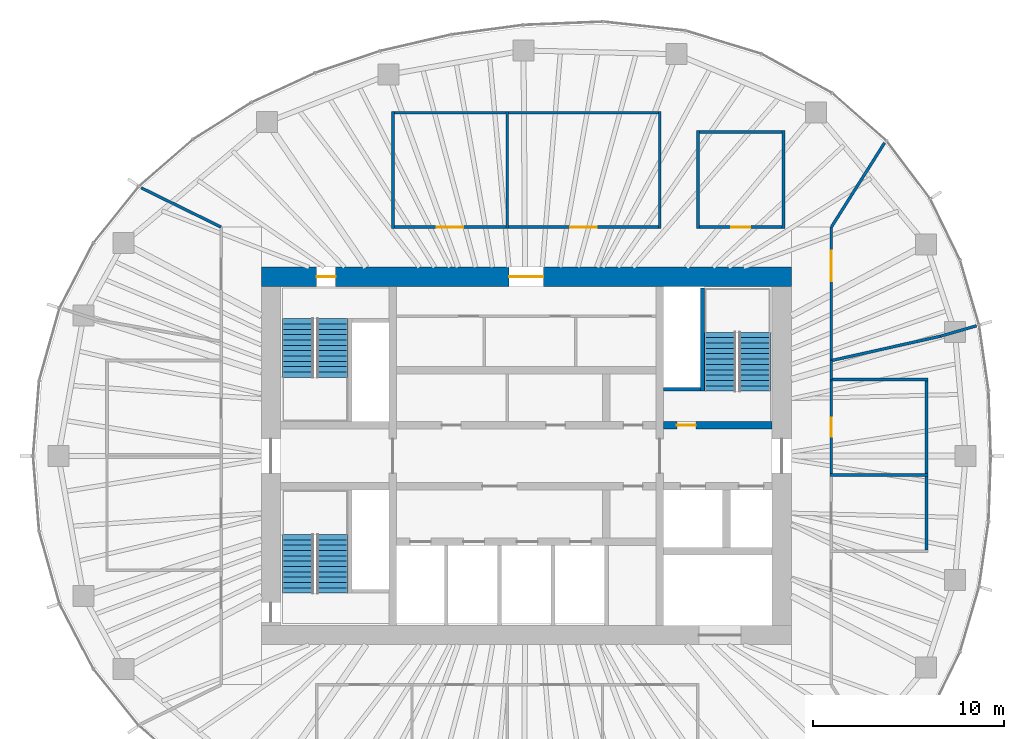
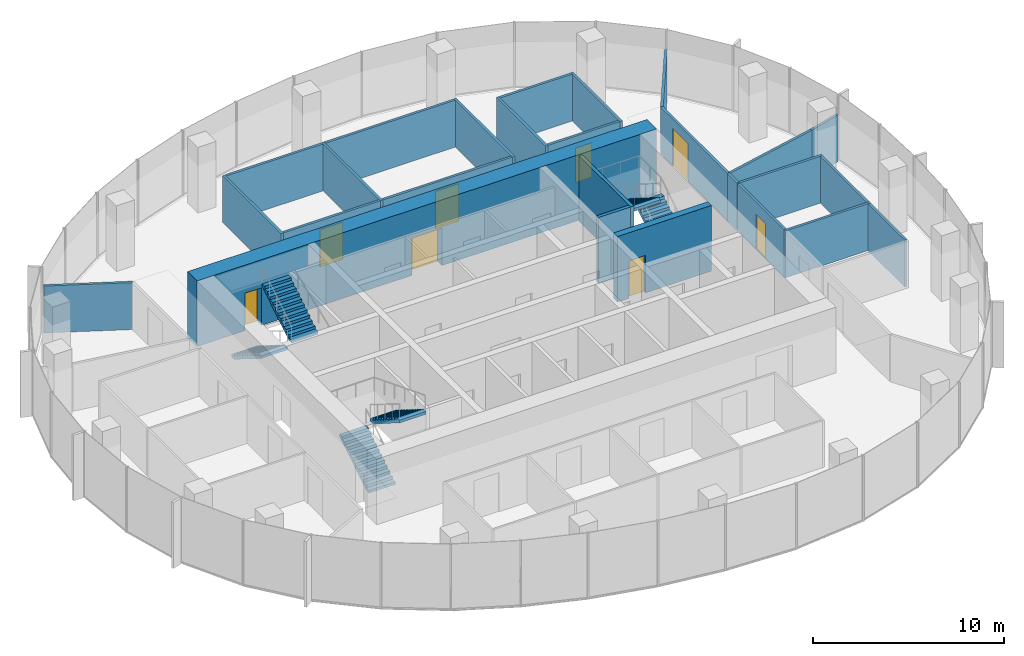
# One storey, part 10 of 11: 26 walls, 8 doors, 6 stair flights, 8 openings, 3 elements without a shape of their own.
"""IFC4 building model written with IfcOpenShell, lengths in metres."""

from ifc_helpers import new_model, si_unit, direction, frame, frame_2d, origin, place, context, subcontext, project, spatial, polyline, rectangle, outline, extrude, material, layer, layer_set, type_object, element, fill, aggregate, save


model = new_model("IFC4")

# Units and contexts
model_context = context("Model", 3, precision=1e-05, world=origin(), true_north=direction((0.0, 1.0)))
body_context = subcontext(model_context, "Body", "Model", "MODEL_VIEW")
ifc_project = project(units=[si_unit("LENGTHUNIT", "METRE"), si_unit("AREAUNIT", "SQUARE_METRE"), si_unit("VOLUMEUNIT", "CUBIC_METRE"), si_unit("PLANEANGLEUNIT", "RADIAN"), si_unit("MASSUNIT", "GRAM", prefix="KILO")], contexts=[model_context])

# Site, building, storey
site_placement = place(None, origin())
site = spatial("IfcSite", under=ifc_project, at=site_placement, CompositionType="ELEMENT")
building_placement = place(site_placement, origin())
building = spatial("IfcBuilding", under=site, at=building_placement, Name="Ghaith Harvest Tower", CompositionType="ELEMENT")
storey_placement = place(building_placement, frame((0.0, 0.0, 288.0)))
storey = spatial("IfcBuildingStorey", under=building, at=storey_placement, Name="L64", CompositionType="ELEMENT", Elevation=288.0)

# Wall, openings, doors
ifc_material_1 = material(Name="Concrete C50/60", Category="concrete")
ifc_layer_1 = layer(ifc_material_1, 1.0)
ifc_layer_set_1 = layer_set([ifc_layer_1], Name="CORE WALL CW1000")
wall_type_1 = type_object("IfcWallType", Name="CORE WALL CW1000", PredefinedType="SHEAR", material=ifc_layer_set_1)
wall_1_placement = place(storey_placement, frame((13.89990234375, 9.39990234375, 0.0), z_axis=(0.0, 0.0, 1.0), x_axis=(-1.0, 0.0, 0.0)))
wall_1 = element("IfcWall", 1, at=wall_1_placement, inside=storey, type_object=wall_type_1, Name="Core wall N L64", PredefinedType="SHEAR", context=body_context, shape_type="SweptSolid", body=[
    extrude(rectangle(XDim=27.7998046875, YDim=1.0, at=frame_2d((13.89990234375, 0.0))), origin(), (0.0, 0.0, 1.0), 4.199951171875),
])
opening_1_placement = place(wall_1_placement, frame((23.89990234375, 0.0, 0.0)))
opening_1 = element("IfcOpeningElement", 2, at=opening_1_placement, cuts=wall_1, Name="Opening 64-005", PredefinedType="OPENING", context=body_context, shape_type="SweptSolid", body=[
    extrude(rectangle(XDim=1.0, YDim=2.39990234375, at=frame_2d((0.5, 1.199951171875))), frame((0.0, 0.510009765625, 0.0), z_axis=(0.0, -1.0, 0.0), x_axis=(1.0, 0.0, 0.0)), (0.0, 0.0, 1.0), 1.02001953125),
])
opening_2_placement = place(wall_1_placement, frame((13.0, 0.0, 0.0)))
opening_2 = element("IfcOpeningElement", 3, at=opening_2_placement, cuts=wall_1, Name="Opening 64-016", PredefinedType="OPENING", context=body_context, shape_type="SweptSolid", body=[
    extrude(rectangle(XDim=1.800048828125, YDim=2.39990234375, at=frame_2d((0.89990234375, 1.199951171875))), frame((0.0, 0.510009765625, 0.0), z_axis=(0.0, -1.0, 0.0), x_axis=(1.0, 0.0, 0.0)), (0.0, 0.0, 1.0), 1.02001953125),
])
ifc_material_2 = material(Name="Steel fire door", Category="steel")
door_type_1 = type_object("IfcDoorType", Name="D3 FD90 1000x2400", OperationType="SINGLE_SWING_LEFT", PredefinedType="DOOR", material=ifc_material_2)
door_1_placement = place(opening_1_placement, origin())
door_1 = element("IfcDoor", 4, at=door_1_placement, inside=storey, type_object=door_type_1, Name="Stair ST1 door", OperationType="SINGLE_SWING_RIGHT", OverallHeight=2.39990234375, OverallWidth=1.0, PredefinedType="DOOR", context=body_context, shape_type="SweptSolid", body=[
    extrude(rectangle(XDim=1.0, YDim=2.39990234375, at=frame_2d((0.5, 1.199951171875))), frame((0.0, 0.02490234375, 0.0), z_axis=(0.0, -1.0, 0.0), x_axis=(1.0, 0.0, 0.0)), (0.0, 0.0, 1.0), 0.050048828125),
])
fill(opening_1, door_1)
ifc_material_3 = material(Name="Steel fire door", Category="steel")
door_type_2 = type_object("IfcDoorType", Name="D4 FD90 PAIR 1800x2400", OperationType="DOUBLE_DOOR_SINGLE_SWING", PredefinedType="DOOR", material=ifc_material_3)
door_2_placement = place(opening_2_placement, origin())
door_2 = element("IfcDoor", 5, at=door_2_placement, inside=storey, type_object=door_type_2, Name="Core service corridor doors", OperationType="DOUBLE_DOOR_SINGLE_SWING", OverallHeight=2.39990234375, OverallWidth=1.800048828125, PredefinedType="DOOR", context=body_context, shape_type="SweptSolid", body=[
    extrude(rectangle(XDim=1.800048828125, YDim=2.39990234375, at=frame_2d((0.89990234375, 1.199951171875))), frame((0.0, 0.02490234375, 0.0), z_axis=(0.0, -1.0, 0.0), x_axis=(1.0, 0.0, 0.0)), (0.0, 0.0, 1.0), 0.050048828125),
])
fill(opening_2, door_2)

# Walls
ifc_material_4 = material(Name="Gypsum board on steel studs", Category="steel")
ifc_layer_2 = layer(ifc_material_4, 0.14990234375)
ifc_layer_set_2 = layer_set([ifc_layer_2], Name="PARTITION 150")
wall_type_2 = type_object("IfcWallType", Name="PARTITION 150", PredefinedType="PARTITIONING", material=ifc_layer_set_2)
for number, where, z_axis, x_axis, name in (
    (6, (-7.0, 11.925048828125, 0.0), (0.0, 0.0, 1.0), (0.0, 1.0, 0.0), "Partition L64 row N3 cross wall 1"),
    (7, (-1.0, 11.925048828125, 0.0), (0.0, 0.0, 1.0), (0.0, 1.0, 0.0), "Partition L64 row N3 cross wall 2"),
    (8, (7.0, 11.925048828125, 0.0), (0.0, 0.0, 1.0), (0.0, 1.0, 0.0), "Partition L64 row N3 cross wall 3"),
):
    element("IfcWall", number, at=place(storey_placement, frame(where, z_axis=z_axis, x_axis=x_axis)), inside=storey, type_object=wall_type_2, Name=name, PredefinedType="PARTITIONING", context=body_context, shape_type="SweptSolid", body=[
        extrude(rectangle(XDim=6.14990234375, YDim=0.14990234375, at=frame_2d((3.074951171875, 0.0))), origin(), (0.0, 0.0, 1.0), 3.0),
    ])

# Wall, opening, door
wall_2_placement = place(storey_placement, frame((-6.925048828125, 12.0, 0.0), z_axis=(0.0, 0.0, 1.0), x_axis=(1.0, 0.0, 0.0)))
wall_2 = element("IfcWall", 9, at=wall_2_placement, inside=storey, type_object=wall_type_2, Name="Partition L64-07", PredefinedType="PARTITIONING", context=body_context, shape_type="SweptSolid", body=[
    extrude(rectangle(XDim=5.85009765625, YDim=0.14990234375, at=frame_2d((2.925048828125, 0.0))), origin(), (0.0, 0.0, 1.0), 3.0),
])
opening_3_placement = place(wall_2_placement, frame((2.22509765625, 0.0, 0.0)))
opening_3 = element("IfcOpeningElement", 10, at=opening_3_placement, cuts=wall_2, Name="Opening 64-030", PredefinedType="OPENING", context=body_context, shape_type="SweptSolid", body=[
    extrude(rectangle(XDim=1.39990234375, YDim=2.39990234375, at=frame_2d((0.699951171875, 1.199951171875))), frame((0.0, 0.0849609375, 0.0), z_axis=(0.0, -1.0, 0.0), x_axis=(1.0, 0.0, 0.0)), (0.0, 0.0, 1.0), 0.169921875),
])
ifc_material_5 = material(Name="Stainless steel faced door pair", Category="steel")
door_type_3 = type_object("IfcDoorType", Name="D14 HYGIENE PAIR 1400x2400", OperationType="DOUBLE_DOOR_DOUBLE_SWING", PredefinedType="DOOR", material=ifc_material_5)
door_3_placement = place(opening_3_placement, origin())
door_3 = element("IfcDoor", 11, at=door_3_placement, inside=storey, type_object=door_type_3, Name="Grading room door", OperationType="DOUBLE_DOOR_DOUBLE_SWING", OverallHeight=2.39990234375, OverallWidth=1.39990234375, PredefinedType="DOOR", context=body_context, shape_type="SweptSolid", body=[
    extrude(rectangle(XDim=1.39990234375, YDim=2.39990234375, at=frame_2d((0.699951171875, 1.199951171875))), frame((0.0, 0.02490234375, 0.0), z_axis=(0.0, -1.0, 0.0), x_axis=(1.0, 0.0, 0.0)), (0.0, 0.0, 1.0), 0.050048828125),
])
fill(opening_3, door_3)

# Wall
wall_3_placement = place(storey_placement, frame((-6.925048828125, 18.0, 0.0), z_axis=(0.0, 0.0, 1.0), x_axis=(1.0, 0.0, 0.0)))
element("IfcWall", 12, at=wall_3_placement, inside=storey, type_object=wall_type_2, Name="Partition L64-07", PredefinedType="PARTITIONING", context=body_context, shape_type="SweptSolid", body=[
    extrude(rectangle(XDim=5.85009765625, YDim=0.14990234375, at=frame_2d((2.925048828125, 0.0))), origin(), (0.0, 0.0, 1.0), 3.0),
])

# Wall, opening, door
wall_4_placement = place(storey_placement, frame((-0.925048828125, 12.0, 0.0), z_axis=(0.0, 0.0, 1.0), x_axis=(1.0, 0.0, 0.0)))
wall_4 = element("IfcWall", 13, at=wall_4_placement, inside=storey, type_object=wall_type_2, Name="Partition L64-08", PredefinedType="PARTITIONING", context=body_context, shape_type="SweptSolid", body=[
    extrude(rectangle(XDim=7.85009765625, YDim=0.14990234375, at=frame_2d((3.925048828125, 0.0))), origin(), (0.0, 0.0, 1.0), 3.0),
])
opening_4_placement = place(wall_4_placement, frame((3.22509765625, 0.0, 0.0)))
opening_4 = element("IfcOpeningElement", 14, at=opening_4_placement, cuts=wall_4, Name="Opening 64-031", PredefinedType="OPENING", context=body_context, shape_type="SweptSolid", body=[
    extrude(rectangle(XDim=1.39990234375, YDim=2.39990234375, at=frame_2d((0.699951171875, 1.199951171875))), frame((0.0, 0.0849609375, 0.0), z_axis=(0.0, -1.0, 0.0), x_axis=(1.0, 0.0, 0.0)), (0.0, 0.0, 1.0), 0.169921875),
])
door_4_placement = place(opening_4_placement, origin())
door_4 = element("IfcDoor", 15, at=door_4_placement, inside=storey, type_object=door_type_3, Name="Packing room door", OperationType="DOUBLE_DOOR_DOUBLE_SWING", OverallHeight=2.39990234375, OverallWidth=1.39990234375, PredefinedType="DOOR", context=body_context, shape_type="SweptSolid", body=[
    extrude(rectangle(XDim=1.39990234375, YDim=2.39990234375, at=frame_2d((0.699951171875, 1.199951171875))), frame((0.0, 0.02490234375, 0.0), z_axis=(0.0, -1.0, 0.0), x_axis=(1.0, 0.0, 0.0)), (0.0, 0.0, 1.0), 0.050048828125),
])
fill(opening_4, door_4)

# Walls
wall_5_placement = place(storey_placement, frame((-0.925048828125, 18.0, 0.0), z_axis=(0.0, 0.0, 1.0), x_axis=(1.0, 0.0, 0.0)))
element("IfcWall", 16, at=wall_5_placement, inside=storey, type_object=wall_type_2, Name="Partition L64-08", PredefinedType="PARTITIONING", context=body_context, shape_type="SweptSolid", body=[
    extrude(rectangle(XDim=7.85009765625, YDim=0.14990234375, at=frame_2d((3.925048828125, 0.0))), origin(), (0.0, 0.0, 1.0), 3.0),
])
for number, where, z_axis, x_axis, name in (
    (17, (15.925048828125, -1.0, 0.0), (0.0, 0.0, 1.0), (1.0, 0.0, 0.0), "Partition L64 row E4 cross wall 2"),
    (18, (15.925048828125, 4.0, 0.0), (0.0, 0.0, 1.0), (1.0, 0.0, 0.0), "Partition L64 row E4 cross wall 3"),
):
    element("IfcWall", number, at=place(storey_placement, frame(where, z_axis=z_axis, x_axis=x_axis)), inside=storey, type_object=wall_type_2, Name=name, PredefinedType="PARTITIONING", context=body_context, shape_type="SweptSolid", body=[
        extrude(rectangle(XDim=5.14990234375, YDim=0.14990234375, at=frame_2d((2.574951171875, 0.0))), origin(), (0.0, 0.0, 1.0), 3.0),
    ])
wall_6_placement = place(storey_placement, frame((21.0, -4.925048828125, 0.0), z_axis=(0.0, 0.0, 1.0), x_axis=(0.0, 1.0, 0.0)))
element("IfcWall", 19, at=wall_6_placement, inside=storey, type_object=wall_type_2, Name="Partition L64-09", PredefinedType="PARTITIONING", context=body_context, shape_type="SweptSolid", body=[
    extrude(rectangle(XDim=3.85009765625, YDim=0.14990234375, at=frame_2d((1.925048828125, 0.0))), origin(), (0.0, 0.0, 1.0), 3.0),
])

# Wall, opening, door
wall_7_placement = place(storey_placement, frame((16.0, -0.925048828125, 0.0), z_axis=(0.0, 0.0, 1.0), x_axis=(0.0, 1.0, 0.0)))
wall_7 = element("IfcWall", 20, at=wall_7_placement, inside=storey, type_object=wall_type_2, Name="Partition L64-10", PredefinedType="PARTITIONING", context=body_context, shape_type="SweptSolid", body=[
    extrude(rectangle(XDim=4.85009765625, YDim=0.14990234375, at=frame_2d((2.425048828125, 0.0))), origin(), (0.0, 0.0, 1.0), 3.0),
])
opening_5_placement = place(wall_7_placement, frame((1.925048828125, 0.0, 0.0)))
opening_5 = element("IfcOpeningElement", 21, at=opening_5_placement, cuts=wall_7, Name="Opening 64-033", PredefinedType="OPENING", context=body_context, shape_type="SweptSolid", body=[
    extrude(rectangle(XDim=1.0, YDim=2.199951171875, at=frame_2d((0.5, 1.10009765625))), frame((0.0, 0.0849609375, 0.0), z_axis=(0.0, -1.0, 0.0), x_axis=(1.0, 0.0, 0.0)), (0.0, 0.0, 1.0), 0.169921875),
])
ifc_material_6 = material(Name="Timber door", Category="wood")
door_type_4 = type_object("IfcDoorType", Name="D1 SINGLE 1000x2200", OperationType="SINGLE_SWING_LEFT", PredefinedType="DOOR", material=ifc_material_6)
door_5_placement = place(opening_5_placement, origin())
door_5 = element("IfcDoor", 22, at=door_5_placement, inside=storey, type_object=door_type_4, Name="Staff room door", OperationType="SINGLE_SWING_LEFT", OverallHeight=2.199951171875, OverallWidth=1.0, PredefinedType="DOOR", context=body_context, shape_type="SweptSolid", body=[
    extrude(rectangle(XDim=1.0, YDim=2.199951171875, at=frame_2d((0.5, 1.10009765625))), frame((0.0, 0.02490234375, 0.0), z_axis=(0.0, -1.0, 0.0), x_axis=(1.0, 0.0, 0.0)), (0.0, 0.0, 1.0), 0.050048828125),
])
fill(opening_5, door_5)

# Walls
wall_8_placement = place(storey_placement, frame((21.0, -0.925048828125, 0.0), z_axis=(0.0, 0.0, 1.0), x_axis=(0.0, 1.0, 0.0)))
element("IfcWall", 23, at=wall_8_placement, inside=storey, type_object=wall_type_2, Name="Partition L64-10", PredefinedType="PARTITIONING", context=body_context, shape_type="SweptSolid", body=[
    extrude(rectangle(XDim=4.85009765625, YDim=0.14990234375, at=frame_2d((2.425048828125, 0.0))), origin(), (0.0, 0.0, 1.0), 3.0),
])
for number, where, z_axis, x_axis, name in (
    (24, (9.0, 11.925048828125, 0.0), (0.0, 0.0, 1.0), (0.0, 1.0, 0.0), "Partition L64 row N5 cross wall 1"),
    (25, (13.5, 11.925048828125, 0.0), (0.0, 0.0, 1.0), (0.0, 1.0, 0.0), "Partition L64 row N5 cross wall 2"),
):
    element("IfcWall", number, at=place(storey_placement, frame(where, z_axis=z_axis, x_axis=x_axis)), inside=storey, type_object=wall_type_2, Name=name, PredefinedType="PARTITIONING", context=body_context, shape_type="SweptSolid", body=[
        extrude(rectangle(XDim=5.14990234375, YDim=0.14990234375, at=frame_2d((2.574951171875, 0.0))), origin(), (0.0, 0.0, 1.0), 3.0),
    ])

# Wall, opening, door
wall_9_placement = place(storey_placement, frame((9.074951171875, 12.0, 0.0), z_axis=(0.0, 0.0, 1.0), x_axis=(1.0, 0.0, 0.0)))
wall_9 = element("IfcWall", 26, at=wall_9_placement, inside=storey, type_object=wall_type_2, Name="Partition L64-11", PredefinedType="PARTITIONING", context=body_context, shape_type="SweptSolid", body=[
    extrude(rectangle(XDim=4.35009765625, YDim=0.14990234375, at=frame_2d((2.175048828125, 0.0))), origin(), (0.0, 0.0, 1.0), 3.0),
])
opening_6_placement = place(wall_9_placement, frame((1.675048828125, 0.0, 0.0)))
opening_6 = element("IfcOpeningElement", 27, at=opening_6_placement, cuts=wall_9, Name="Opening 64-034", PredefinedType="OPENING", context=body_context, shape_type="SweptSolid", body=[
    extrude(rectangle(XDim=1.0, YDim=2.199951171875, at=frame_2d((0.5, 1.10009765625))), frame((0.0, 0.0849609375, 0.0), z_axis=(0.0, -1.0, 0.0), x_axis=(1.0, 0.0, 0.0)), (0.0, 0.0, 1.0), 0.169921875),
])
door_6_placement = place(opening_6_placement, origin())
door_6 = element("IfcDoor", 28, at=door_6_placement, inside=storey, type_object=door_type_4, Name="Packaging store door", OperationType="SINGLE_SWING_LEFT", OverallHeight=2.199951171875, OverallWidth=1.0, PredefinedType="DOOR", context=body_context, shape_type="SweptSolid", body=[
    extrude(rectangle(XDim=1.0, YDim=2.199951171875, at=frame_2d((0.5, 1.10009765625))), frame((0.0, 0.02490234375, 0.0), z_axis=(0.0, -1.0, 0.0), x_axis=(1.0, 0.0, 0.0)), (0.0, 0.0, 1.0), 0.050048828125),
])
fill(opening_6, door_6)

# Walls
wall_10_placement = place(storey_placement, frame((9.074951171875, 17.0, 0.0), z_axis=(0.0, 0.0, 1.0), x_axis=(1.0, 0.0, 0.0)))
element("IfcWall", 29, at=wall_10_placement, inside=storey, type_object=wall_type_2, Name="Partition L64-11", PredefinedType="PARTITIONING", context=body_context, shape_type="SweptSolid", body=[
    extrude(rectangle(XDim=4.35009765625, YDim=0.14990234375, at=frame_2d((2.175048828125, 0.0))), origin(), (0.0, 0.0, 1.0), 3.0),
])
wall_11_placement = place(storey_placement, frame((-16.017822265625, 12.0087890625, 0.0), z_axis=(0.0, 0.0, 1.0), x_axis=(-0.897771840996, 0.440460805879, 0.0)))
element("IfcWall", 30, at=wall_11_placement, inside=storey, type_object=wall_type_2, Name="Partition L64 zone division", PredefinedType="PARTITIONING", context=body_context, shape_type="SweptSolid", body=[
    extrude(rectangle(XDim=4.66552734375, YDim=0.14990234375, at=frame_2d((2.332763671875, 0.0))), origin(), (0.0, 0.0, 1.0), 3.0),
])
wall_12_placement = place(storey_placement, frame((16.0107421875, 12.016845703125, 0.0), z_axis=(0.0, 0.0, 1.0), x_axis=(0.53415837449, 0.845384427916, 0.0)))
element("IfcWall", 31, at=wall_12_placement, inside=storey, type_object=wall_type_2, Name="Partition L64 zone division", PredefinedType="PARTITIONING", context=body_context, shape_type="SweptSolid", body=[
    extrude(rectangle(XDim=5.220458984375, YDim=0.14990234375, at=frame_2d((2.6103515625, 0.0))), origin(), (0.0, 0.0, 1.0), 3.0),
])
wall_13_placement = place(storey_placement, frame((16.02001953125, 5.00439453125, 0.0), z_axis=(0.0, 0.0, 1.0), x_axis=(0.975955215335, 0.217971139513, 0.0)))
element("IfcWall", 32, at=wall_13_placement, inside=storey, type_object=wall_type_2, Name="Partition L64 zone division", PredefinedType="PARTITIONING", context=body_context, shape_type="SweptSolid", body=[
    extrude(rectangle(XDim=5.836669921875, YDim=0.14990234375, at=frame_2d((2.91845703125, 0.0))), origin(), (0.0, 0.0, 1.0), 3.0),
])
wall_14_placement = place(storey_placement, frame((21.71630859375, 6.276611328125, 0.0), z_axis=(0.0, 0.0, 1.0), x_axis=(0.960705414675, 0.277570002366, 0.0)))
element("IfcWall", 33, at=wall_14_placement, inside=storey, type_object=wall_type_2, Name="Partition L64 zone division", PredefinedType="PARTITIONING", context=body_context, shape_type="SweptSolid", body=[
    extrude(rectangle(XDim=1.97998046875, YDim=0.14990234375, at=frame_2d((0.989990234375, 0.0))), origin(), (0.0, 0.0, 1.0), 3.0),
])

# Wall, opening, door
wall_15_placement = place(storey_placement, frame((16.0, 5.0, 0.0), z_axis=(0.0, 0.0, 1.0), x_axis=(0.0, 1.0, 0.0)))
wall_15 = element("IfcWall", 34, at=wall_15_placement, inside=storey, type_object=wall_type_2, Name="Partition L64 zone enclosure", PredefinedType="PARTITIONING", context=body_context, shape_type="SweptSolid", body=[
    extrude(rectangle(XDim=7.0, YDim=0.14990234375, at=frame_2d((3.5, 0.0))), origin(), (0.0, 0.0, 1.0), 3.0),
])
opening_7_placement = place(wall_15_placement, frame((4.14990234375, 0.0, 0.0)))
opening_7 = element("IfcOpeningElement", 35, at=opening_7_placement, cuts=wall_15, Name="Opening 64-035", PredefinedType="OPENING", context=body_context, shape_type="SweptSolid", body=[
    extrude(rectangle(XDim=1.60009765625, YDim=2.39990234375, at=frame_2d((0.800048828125, 1.199951171875))), frame((0.0, 0.0849609375, 0.0), z_axis=(0.0, -1.0, 0.0), x_axis=(1.0, 0.0, 0.0)), (0.0, 0.0, 1.0), 0.169921875),
])
ifc_material_7 = material(Name="Timber door", Category="wood")
door_type_5 = type_object("IfcDoorType", Name="D2 PAIR 1600x2400", OperationType="DOUBLE_DOOR_SINGLE_SWING", PredefinedType="DOOR", material=ifc_material_7)
door_7_placement = place(opening_7_placement, origin())
door_7 = element("IfcDoor", 36, at=door_7_placement, inside=storey, type_object=door_type_5, Name="Specialty growing area east 1 door", OperationType="DOUBLE_DOOR_SINGLE_SWING", OverallHeight=2.39990234375, OverallWidth=1.60009765625, PredefinedType="DOOR", context=body_context, shape_type="SweptSolid", body=[
    extrude(rectangle(XDim=1.60009765625, YDim=2.39990234375, at=frame_2d((0.800048828125, 1.199951171875))), frame((0.0, 0.02490234375, 0.0), z_axis=(0.0, -1.0, 0.0), x_axis=(1.0, 0.0, 0.0)), (0.0, 0.0, 1.0), 0.050048828125),
])
fill(opening_7, door_7)

# Wall
wall_16_placement = place(storey_placement, frame((16.0, 4.0, 0.0), z_axis=(0.0, 0.0, 1.0), x_axis=(0.0, 1.0, 0.0)))
element("IfcWall", 37, at=wall_16_placement, inside=storey, type_object=wall_type_2, Name="Partition L64 zone enclosure", PredefinedType="PARTITIONING", context=body_context, shape_type="SweptSolid", body=[
    extrude(rectangle(XDim=1.0, YDim=0.14990234375, at=frame_2d((0.5, 0.0))), origin(), (0.0, 0.0, 1.0), 3.0),
])

# Wall, opening, door
ifc_material_8 = material(Name="Concrete C70/85", Category="concrete")
ifc_layer_3 = layer(ifc_material_8, 0.39990234375)
ifc_layer_set_3 = layer_set([ifc_layer_3], Name="SHAFT WALL 400")
wall_type_3 = type_object("IfcWallType", Name="SHAFT WALL 400", PredefinedType="SHEAR", material=ifc_layer_set_3)
wall_17_placement = place(storey_placement, frame((7.199951171875, 1.60009765625, 0.0), z_axis=(0.0, 0.0, 1.0), x_axis=(1.0, 0.0, 0.0)))
wall_17 = element("IfcWall", 38, at=wall_17_placement, inside=storey, type_object=wall_type_3, Name="Shaft wall EN L64", PredefinedType="SHEAR", context=body_context, shape_type="SweptSolid", body=[
    extrude(rectangle(XDim=5.699951171875, YDim=0.39990234375, at=frame_2d((2.85009765625, 0.0))), origin(), (0.0, 0.0, 1.0), 4.199951171875),
])
opening_8_placement = place(wall_17_placement, frame((0.699951171875, 0.0, 0.0)))
opening_8 = element("IfcOpeningElement", 39, at=opening_8_placement, cuts=wall_17, Name="Opening 64-007", PredefinedType="OPENING", context=body_context, shape_type="SweptSolid", body=[
    extrude(rectangle(XDim=1.0, YDim=2.39990234375, at=frame_2d((0.5, 1.199951171875))), frame((0.0, 0.2099609375, 0.0), z_axis=(0.0, -1.0, 0.0), x_axis=(1.0, 0.0, 0.0)), (0.0, 0.0, 1.0), 0.419921875),
])
door_8_placement = place(opening_8_placement, origin())
door_8 = element("IfcDoor", 40, at=door_8_placement, inside=storey, type_object=door_type_1, Name="Stair ST2 door", OperationType="SINGLE_SWING_LEFT", OverallHeight=2.39990234375, OverallWidth=1.0, PredefinedType="DOOR", context=body_context, shape_type="SweptSolid", body=[
    extrude(rectangle(XDim=1.0, YDim=2.39990234375, at=frame_2d((0.5, 1.199951171875))), frame((0.0, 0.02490234375, 0.0), z_axis=(0.0, -1.0, 0.0), x_axis=(1.0, 0.0, 0.0)), (0.0, 0.0, 1.0), 0.050048828125),
])
fill(opening_8, door_8)

# Walls
ifc_material_9 = material(Name="Concrete C40/50", Category="concrete")
ifc_layer_4 = layer(ifc_material_9, 0.199951171875)
ifc_layer_set_4 = layer_set([ifc_layer_4], Name="STAIR SPINE WALL RC200")
wall_type_4 = type_object("IfcWallType", Name="STAIR SPINE WALL RC200", PredefinedType="SOLIDWALL", material=ifc_layer_set_4)
wall_18_placement = place(storey_placement, frame((9.25, 3.39990234375, 0.0), z_axis=(0.0, 0.0, 1.0), x_axis=(0.0, 1.0, 0.0)))
element("IfcWall", 41, at=wall_18_placement, inside=storey, type_object=wall_type_4, Name="Stair ST2 spine wall L64", PredefinedType="SOLIDWALL", context=body_context, shape_type="SweptSolid", body=[
    extrude(rectangle(XDim=5.400146484375, YDim=0.199951171875, at=frame_2d((2.7001953125, 0.0))), origin(), (0.0, 0.0, 1.0), 4.199951171875),
])
wall_19_placement = place(storey_placement, frame((9.14990234375, 3.5, 0.0), z_axis=(0.0, 0.0, 1.0), x_axis=(-1.0, 0.0, 0.0)))
element("IfcWall", 42, at=wall_19_placement, inside=storey, type_object=wall_type_4, Name="Stair ST2 spine wall return L64", PredefinedType="SOLIDWALL", context=body_context, shape_type="SweptSolid", body=[
    extrude(rectangle(XDim=1.949951171875, YDim=0.199951171875, at=frame_2d((0.97509765625, 0.0))), origin(), (0.0, 0.0, 1.0), 4.199951171875),
])

# Stair, stair flights
ifc_material_10 = material(Name="Concrete C40/50, precast", Category="concrete")
stair_type = type_object("IfcStairType", Name="CORE STAIR 24R", PredefinedType="HALF_TURN_STAIR", material=ifc_material_10)
stair_1_placement = place(storey_placement, origin())
stair_1 = element("IfcStair", 43, at=stair_1_placement, inside=storey, type_object=stair_type, Name="Stair ST1 L64", PredefinedType="HALF_TURN_STAIR")
ifc_material_11 = material(Name="Concrete C40/50, precast", Category="concrete")
stair_flight_type = type_object("IfcStairFlightType", Name="CORE FLIGHT 12R 1600", PredefinedType="STRAIGHT", material=ifc_material_11)
stair_flight_1_placement = place(storey_placement, frame((-12.0, 7.199951171875, 0.0), z_axis=(0.0, 0.0, 1.0), x_axis=(0.0, -1.0, 0.0)))
stair_flight_1 = element("IfcStairFlight", 44, at=stair_flight_1_placement, type_object=stair_flight_type, Name="ST1 flight 1", NumberOfRisers=12, NumberOfTreads=11, PredefinedType="STRAIGHT", RiserHeight=0.175, TreadLength=0.28, context=body_context, shape_type="SweptSolid", body=[
    extrude(outline(polyline([(0.0, 0.0), (0.0, 0.175048828125), (0.280029296875, 0.175048828125), (0.280029296875, 0.35009765625), (0.56005859375, 0.35009765625), (0.56005859375, 0.52490234375), (0.840087890625, 0.52490234375), (0.840087890625, 0.699951171875), (1.1201171875, 0.699951171875), (1.1201171875, 0.875), (1.39990234375, 0.875), (1.39990234375, 1.050048828125), (1.679931640625, 1.050048828125), (1.679931640625, 1.22509765625), (1.9599609375, 1.22509765625), (1.9599609375, 1.39990234375), (2.239990234375, 1.39990234375), (2.239990234375, 1.574951171875), (2.52001953125, 1.574951171875), (2.52001953125, 1.75), (2.800048828125, 1.75), (2.800048828125, 1.925048828125), (3.080078125, 1.925048828125), (3.080078125, 2.10009765625), (3.080078125, 1.748291015625), (0.28271484375, 0.0), (0.0, 0.0)])), frame((0.0, 0.800048828125, 0.0), z_axis=(0.0, -1.0, 0.0), x_axis=(1.0, 0.0, 0.0)), (0.0, 0.0, 1.0), 1.60009765625),
])
stair_flight_2_placement = place(storey_placement, frame((-10.14990234375, 4.1201171875, 2.10009765625), z_axis=(0.0, 0.0, 1.0), x_axis=(0.0, 1.0, 0.0)))
stair_flight_2 = element("IfcStairFlight", 45, at=stair_flight_2_placement, type_object=stair_flight_type, Name="ST1 flight 2", NumberOfRisers=12, NumberOfTreads=11, PredefinedType="STRAIGHT", RiserHeight=0.175, TreadLength=0.28, context=body_context, shape_type="SweptSolid", body=[
    extrude(outline(polyline([(0.0, 0.0), (0.0, 0.175048828125), (0.280029296875, 0.175048828125), (0.280029296875, 0.35009765625), (0.56005859375, 0.35009765625), (0.56005859375, 0.52490234375), (0.840087890625, 0.52490234375), (0.840087890625, 0.699951171875), (1.1201171875, 0.699951171875), (1.1201171875, 0.875), (1.39990234375, 0.875), (1.39990234375, 1.050048828125), (1.679931640625, 1.050048828125), (1.679931640625, 1.22509765625), (1.9599609375, 1.22509765625), (1.9599609375, 1.39990234375), (2.239990234375, 1.39990234375), (2.239990234375, 1.574951171875), (2.52001953125, 1.574951171875), (2.52001953125, 1.75), (2.800048828125, 1.75), (2.800048828125, 1.925048828125), (3.080078125, 1.925048828125), (3.080078125, 2.10009765625), (3.080078125, 1.748291015625), (0.28271484375, 0.0), (0.0, 0.0)])), frame((0.0, 0.800048828125, 0.0), z_axis=(0.0, -1.0, 0.0), x_axis=(1.0, 0.0, 0.0)), (0.0, 0.0, 1.0), 1.60009765625),
])
aggregate(stair_1, [stair_flight_1, stair_flight_2])

stair_2_placement = place(storey_placement, origin())
stair_2 = element("IfcStair", 46, at=stair_2_placement, inside=storey, type_object=stair_type, Name="Stair ST3 L64", PredefinedType="HALF_TURN_STAIR")
stair_flight_3_placement = place(storey_placement, frame((-12.0, -7.199951171875, 0.0), z_axis=(0.0, 0.0, 1.0), x_axis=(0.0, 1.0, 0.0)))
stair_flight_3 = element("IfcStairFlight", 47, at=stair_flight_3_placement, type_object=stair_flight_type, Name="ST3 flight 1", NumberOfRisers=12, NumberOfTreads=11, PredefinedType="STRAIGHT", RiserHeight=0.175, TreadLength=0.28, context=body_context, shape_type="SweptSolid", body=[
    extrude(outline(polyline([(0.0, 0.0), (0.0, 0.175048828125), (0.280029296875, 0.175048828125), (0.280029296875, 0.35009765625), (0.56005859375, 0.35009765625), (0.56005859375, 0.52490234375), (0.840087890625, 0.52490234375), (0.840087890625, 0.699951171875), (1.1201171875, 0.699951171875), (1.1201171875, 0.875), (1.39990234375, 0.875), (1.39990234375, 1.050048828125), (1.679931640625, 1.050048828125), (1.679931640625, 1.22509765625), (1.9599609375, 1.22509765625), (1.9599609375, 1.39990234375), (2.239990234375, 1.39990234375), (2.239990234375, 1.574951171875), (2.52001953125, 1.574951171875), (2.52001953125, 1.75), (2.800048828125, 1.75), (2.800048828125, 1.925048828125), (3.080078125, 1.925048828125), (3.080078125, 2.10009765625), (3.080078125, 1.748291015625), (0.28271484375, 0.0), (0.0, 0.0)])), frame((0.0, 0.800048828125, 0.0), z_axis=(0.0, -1.0, 0.0), x_axis=(1.0, 0.0, 0.0)), (0.0, 0.0, 1.0), 1.60009765625),
])
stair_flight_4_placement = place(storey_placement, frame((-10.14990234375, -4.1201171875, 2.10009765625), z_axis=(0.0, 0.0, 1.0), x_axis=(0.0, -1.0, 0.0)))
stair_flight_4 = element("IfcStairFlight", 48, at=stair_flight_4_placement, type_object=stair_flight_type, Name="ST3 flight 2", NumberOfRisers=12, NumberOfTreads=11, PredefinedType="STRAIGHT", RiserHeight=0.175, TreadLength=0.28, context=body_context, shape_type="SweptSolid", body=[
    extrude(outline(polyline([(0.0, 0.0), (0.0, 0.175048828125), (0.280029296875, 0.175048828125), (0.280029296875, 0.35009765625), (0.56005859375, 0.35009765625), (0.56005859375, 0.52490234375), (0.840087890625, 0.52490234375), (0.840087890625, 0.699951171875), (1.1201171875, 0.699951171875), (1.1201171875, 0.875), (1.39990234375, 0.875), (1.39990234375, 1.050048828125), (1.679931640625, 1.050048828125), (1.679931640625, 1.22509765625), (1.9599609375, 1.22509765625), (1.9599609375, 1.39990234375), (2.239990234375, 1.39990234375), (2.239990234375, 1.574951171875), (2.52001953125, 1.574951171875), (2.52001953125, 1.75), (2.800048828125, 1.75), (2.800048828125, 1.925048828125), (3.080078125, 1.925048828125), (3.080078125, 2.10009765625), (3.080078125, 1.748291015625), (0.28271484375, 0.0), (0.0, 0.0)])), frame((0.0, 0.800048828125, 0.0), z_axis=(0.0, -1.0, 0.0), x_axis=(1.0, 0.0, 0.0)), (0.0, 0.0, 1.0), 1.60009765625),
])
aggregate(stair_2, [stair_flight_3, stair_flight_4])

stair_3_placement = place(storey_placement, origin())
stair_3 = element("IfcStair", 49, at=stair_3_placement, inside=storey, type_object=stair_type, Name="Stair ST2 L64", PredefinedType="HALF_TURN_STAIR")
stair_flight_5_placement = place(storey_placement, frame((12.0, 3.39990234375, 0.0), z_axis=(0.0, 0.0, 1.0), x_axis=(0.0, 1.0, 0.0)))
stair_flight_5 = element("IfcStairFlight", 50, at=stair_flight_5_placement, type_object=stair_flight_type, Name="ST2 flight 1", NumberOfRisers=12, NumberOfTreads=11, PredefinedType="STRAIGHT", RiserHeight=0.175, TreadLength=0.28, context=body_context, shape_type="SweptSolid", body=[
    extrude(outline(polyline([(0.0, 0.0), (0.0, 0.175048828125), (0.280029296875, 0.175048828125), (0.280029296875, 0.35009765625), (0.56005859375, 0.35009765625), (0.56005859375, 0.52490234375), (0.840087890625, 0.52490234375), (0.840087890625, 0.699951171875), (1.1201171875, 0.699951171875), (1.1201171875, 0.875), (1.39990234375, 0.875), (1.39990234375, 1.050048828125), (1.679931640625, 1.050048828125), (1.679931640625, 1.22509765625), (1.9599609375, 1.22509765625), (1.9599609375, 1.39990234375), (2.239990234375, 1.39990234375), (2.239990234375, 1.574951171875), (2.52001953125, 1.574951171875), (2.52001953125, 1.75), (2.800048828125, 1.75), (2.800048828125, 1.925048828125), (3.080078125, 1.925048828125), (3.080078125, 2.10009765625), (3.080078125, 1.748291015625), (0.28271484375, 0.0), (0.0, 0.0)])), frame((0.0, 0.800048828125, 0.0), z_axis=(0.0, -1.0, 0.0), x_axis=(1.0, 0.0, 0.0)), (0.0, 0.0, 1.0), 1.60009765625),
])
stair_flight_6_placement = place(storey_placement, frame((10.14990234375, 6.47998046875, 2.10009765625), z_axis=(0.0, 0.0, 1.0), x_axis=(0.0, -1.0, 0.0)))
stair_flight_6 = element("IfcStairFlight", 51, at=stair_flight_6_placement, type_object=stair_flight_type, Name="ST2 flight 2", NumberOfRisers=12, NumberOfTreads=11, PredefinedType="STRAIGHT", RiserHeight=0.175, TreadLength=0.28, context=body_context, shape_type="SweptSolid", body=[
    extrude(outline(polyline([(0.0, 0.0), (0.0, 0.175048828125), (0.280029296875, 0.175048828125), (0.280029296875, 0.35009765625), (0.56005859375, 0.35009765625), (0.56005859375, 0.52490234375), (0.840087890625, 0.52490234375), (0.840087890625, 0.699951171875), (1.1201171875, 0.699951171875), (1.1201171875, 0.875), (1.39990234375, 0.875), (1.39990234375, 1.050048828125), (1.679931640625, 1.050048828125), (1.679931640625, 1.22509765625), (1.9599609375, 1.22509765625), (1.9599609375, 1.39990234375), (2.239990234375, 1.39990234375), (2.239990234375, 1.574951171875), (2.52001953125, 1.574951171875), (2.52001953125, 1.75), (2.800048828125, 1.75), (2.800048828125, 1.925048828125), (3.080078125, 1.925048828125), (3.080078125, 2.10009765625), (3.080078125, 1.748291015625), (0.28271484375, 0.0), (0.0, 0.0)])), frame((0.0, 0.800048828125, 0.0), z_axis=(0.0, -1.0, 0.0), x_axis=(1.0, 0.0, 0.0)), (0.0, 0.0, 1.0), 1.60009765625),
])
aggregate(stair_3, [stair_flight_5, stair_flight_6])

save(model, "model.ifc")
